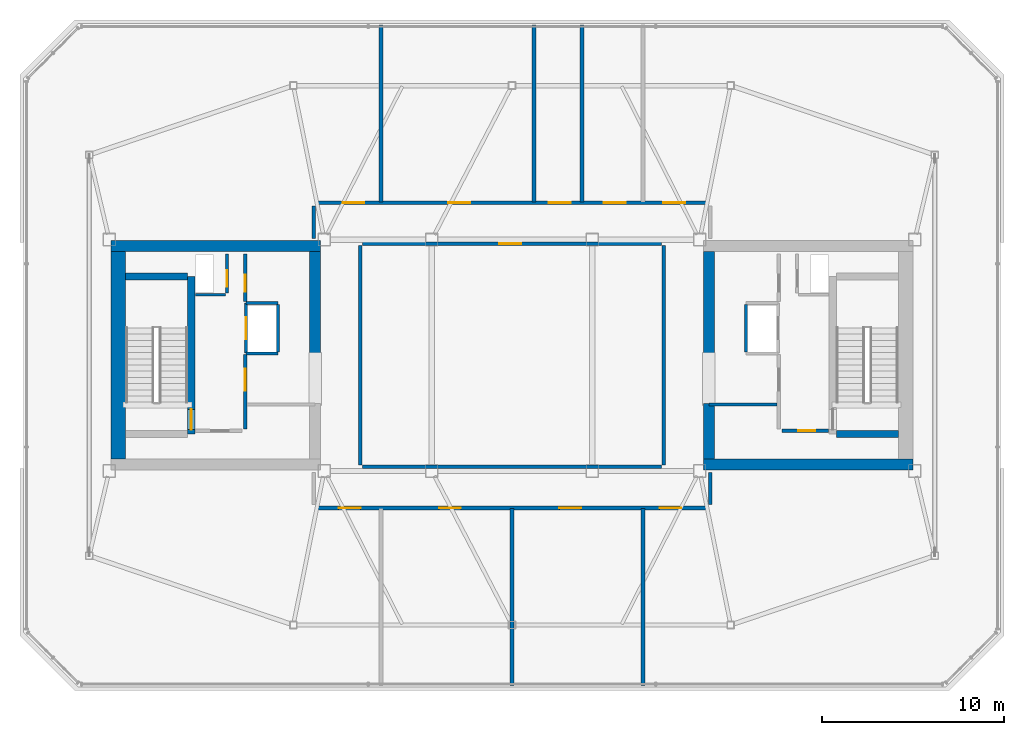
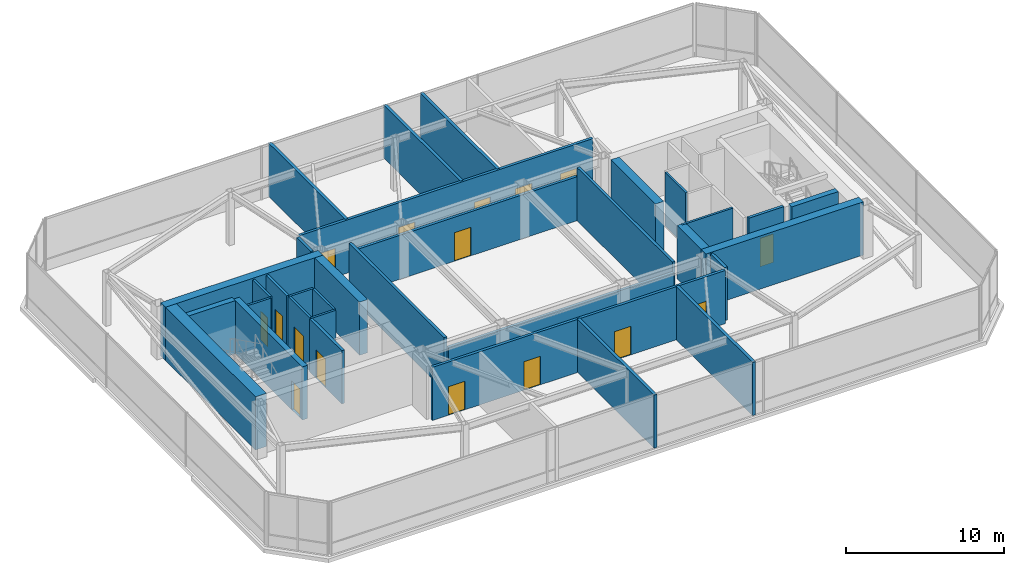
# One storey, part 18 of 22: 33 walls, 16 doors, 16 openings.
"""IFC4 building model written with IfcOpenShell, lengths in metres."""

from ifc_helpers import new_model, si_unit, direction, frame, frame_2d, origin, place, context, subcontext, project, spatial, rectangle, extrude, material, layer, layer_set, type_object, element, fill, save


model = new_model("IFC4")

# Units and contexts
model_context = context("Model", 3, precision=1e-05, world=origin(), true_north=direction((0.0, 1.0)))
body_context = subcontext(model_context, "Body", "Model", "MODEL_VIEW")
ifc_project = project(units=[si_unit("LENGTHUNIT", "METRE"), si_unit("AREAUNIT", "SQUARE_METRE"), si_unit("VOLUMEUNIT", "CUBIC_METRE"), si_unit("PLANEANGLEUNIT", "RADIAN"), si_unit("MASSUNIT", "GRAM", prefix="KILO")], contexts=[model_context])

# Site, building, storey
site_placement = place(None, origin())
site = spatial("IfcSite", under=ifc_project, at=site_placement, CompositionType="ELEMENT")
building_placement = place(site_placement, origin())
building = spatial("IfcBuilding", under=site, at=building_placement, Name="Tavrogorsk Clinical Tower", CompositionType="ELEMENT")
storey_placement = place(building_placement, frame((0.0, 0.0, 339.800048828125)))
storey = spatial("IfcBuildingStorey", under=building, at=storey_placement, Name="L79", CompositionType="ELEMENT", Elevation=339.800048828125)

# Wall, opening, door
ifc_material_1 = material(Name="Concrete B60", Category="concrete")
ifc_layer_1 = layer(ifc_material_1, 0.199951171875)
ifc_layer_set_1 = layer_set([ifc_layer_1], Name="Concrete B60")
wall_type_1 = type_object("IfcWallType", Name="CoreFireWall_200", PredefinedType="SOLIDWALL", material=ifc_layer_set_1)
wall_1_placement = place(storey_placement, frame((-14.639892578125, 2.9599609375, 0.0), z_axis=(0.0, 0.0, 1.0), x_axis=(0.0, 1.0, 0.0)))
wall_1 = element("IfcWall", 1, at=wall_1_placement, inside=storey, type_object=wall_type_1, Name="L79 Core West North Core Room East Wall", PredefinedType="SOLIDWALL", context=body_context, shape_type="SweptSolid", body=[
    extrude(rectangle(XDim=2.60009765625, YDim=0.199951171875, at=frame_2d((1.300048828125, 0.0))), origin(), (0.0, 0.0, 1.0), 4.099853515625),
])
opening_1_placement = place(wall_1_placement, frame((0.52001953125, 0.0, 0.0)))
opening_1 = element("IfcOpeningElement", 2, at=opening_1_placement, cuts=wall_1, Name="Opening ID-02", PredefinedType="OPENING", context=body_context, shape_type="SweptSolid", body=[
    extrude(rectangle(XDim=0.949951171875, YDim=2.199951171875, at=frame_2d((0.47509765625, 1.10009765625))), frame((0.0, 0.10986328125, 0.0), z_axis=(0.0, -1.0, 0.0), x_axis=(1.0, 0.0, 0.0)), (0.0, 0.0, 1.0), 0.219970703125),
])
ifc_material_2 = material(Name="Laminated timber leaf on aluminium frame", Category="wood")
door_type_1 = type_object("IfcDoorType", Name="InteriorDoor_ID02_950", OperationType="NOTDEFINED", PredefinedType="DOOR", material=ifc_material_2)
door_1_placement = place(opening_1_placement, origin())
door_1 = element("IfcDoor", 3, at=door_1_placement, inside=storey, type_object=door_type_1, Name="L79 Core West Core Telemetry Room Door", OperationType="SINGLE_SWING_LEFT", OverallHeight=2.199951171875, OverallWidth=0.949951171875, PredefinedType="DOOR", context=body_context, shape_type="SweptSolid", body=[
    extrude(rectangle(XDim=0.949951171875, YDim=2.199951171875, at=frame_2d((0.47509765625, 1.10009765625))), frame((0.0, 0.02490234375, 0.0), z_axis=(0.0, -1.0, 0.0), x_axis=(1.0, 0.0, 0.0)), (0.0, 0.0, 1.0), 0.050048828125),
])
fill(opening_1, door_1)

wall_2_placement = place(storey_placement, frame((-14.639892578125, -4.034912109375, 0.0), z_axis=(0.0, 0.0, 1.0), x_axis=(0.0, 1.0, 0.0)))
wall_2 = element("IfcWall", 4, at=wall_2_placement, inside=storey, type_object=wall_type_1, Name="L79 Core West Firefighting Lobby Fire Wall", PredefinedType="SOLIDWALL", context=body_context, shape_type="SweptSolid", body=[
    extrude(rectangle(XDim=4.074951171875, YDim=0.199951171875, at=frame_2d((2.03759765625, 0.0))), origin(), (0.0, 0.0, 1.0), 4.099853515625),
])
opening_2_placement = place(wall_2_placement, frame((2.090087890625, 0.0, 0.0)))
opening_2 = element("IfcOpeningElement", 5, at=opening_2_placement, cuts=wall_2, Name="Opening FD-01", PredefinedType="OPENING", context=body_context, shape_type="SweptSolid", body=[
    extrude(rectangle(XDim=1.199951171875, YDim=2.199951171875, at=frame_2d((0.60009765625, 1.10009765625))), frame((0.0, 0.10986328125, 0.0), z_axis=(0.0, -1.0, 0.0), x_axis=(1.0, 0.0, 0.0)), (0.0, 0.0, 1.0), 0.219970703125),
])
ifc_material_3 = material(Name="Galvanised steel fire-rated door assembly", Category="steel")
door_type_2 = type_object("IfcDoorType", Name="FireDoor_FD01_1200", OperationType="NOTDEFINED", PredefinedType="DOOR", material=ifc_material_3)
door_2_placement = place(opening_2_placement, origin())
door_2 = element("IfcDoor", 6, at=door_2_placement, inside=storey, type_object=door_type_2, Name="L79 Core West Firefighting Lobby Entry Door", OperationType="SINGLE_SWING_RIGHT", OverallHeight=2.199951171875, OverallWidth=1.199951171875, PredefinedType="DOOR", context=body_context, shape_type="SweptSolid", body=[
    extrude(rectangle(XDim=1.199951171875, YDim=2.199951171875, at=frame_2d((0.60009765625, 1.10009765625))), frame((0.0, 0.02490234375, 0.0), z_axis=(0.0, -1.0, 0.0), x_axis=(1.0, 0.0, 0.0)), (0.0, 0.0, 1.0), 0.050048828125),
])
fill(opening_2, door_2)

wall_3_placement = place(storey_placement, frame((14.824951171875, -4.139892578125, 0.0), z_axis=(0.0, 0.0, 1.0), x_axis=(1.0, 0.0, 0.0)))
wall_3 = element("IfcWall", 7, at=wall_3_placement, inside=storey, type_object=wall_type_1, Name="L79 Core East South Core Room Fire Wall", PredefinedType="SOLIDWALL", context=body_context, shape_type="SweptSolid", body=[
    extrude(rectangle(XDim=2.554931640625, YDim=0.199951171875, at=frame_2d((1.27734375, 0.0))), origin(), (0.0, 0.0, 1.0), 4.099853515625),
])
opening_3_placement = place(wall_3_placement, frame((0.8798828125, 0.0, 0.0)))
opening_3 = element("IfcOpeningElement", 8, at=opening_3_placement, cuts=wall_3, Name="Opening ID-02", PredefinedType="OPENING", context=body_context, shape_type="SweptSolid", body=[
    extrude(rectangle(XDim=0.949951171875, YDim=2.199951171875, at=frame_2d((0.47509765625, 1.10009765625))), frame((0.0, 0.10986328125, 0.0), z_axis=(0.0, -1.0, 0.0), x_axis=(1.0, 0.0, 0.0)), (0.0, 0.0, 1.0), 0.219970703125),
])
door_3_placement = place(opening_3_placement, origin())
door_3 = element("IfcDoor", 9, at=door_3_placement, inside=storey, type_object=door_type_1, Name="L79 Core East South Core Room Door", OperationType="SINGLE_SWING_RIGHT", OverallHeight=2.199951171875, OverallWidth=0.949951171875, PredefinedType="DOOR", context=body_context, shape_type="SweptSolid", body=[
    extrude(rectangle(XDim=0.949951171875, YDim=2.199951171875, at=frame_2d((0.47509765625, 1.10009765625))), frame((0.0, 0.02490234375, 0.0), z_axis=(0.0, -1.0, 0.0), x_axis=(1.0, 0.0, 0.0)), (0.0, 0.0, 1.0), 0.050048828125),
])
fill(opening_3, door_3)

# Wall
wall_4_placement = place(storey_placement, frame((-10.8798828125, 6.419921875, 0.0), z_axis=(0.0, 0.0, 1.0), x_axis=(0.0, 1.0, 0.0)))
element("IfcWall", 10, at=wall_4_placement, inside=storey, type_object=wall_type_1, Name="L79 Crown Corridor Wall 02", PredefinedType="SOLIDWALL", context=body_context, shape_type="SweptSolid", body=[
    extrude(rectangle(XDim=1.775146484375, YDim=0.199951171875, at=frame_2d((0.8876953125, 0.0))), origin(), (0.0, 0.0, 1.0), 4.099853515625),
])

# Wall, openings, doors
wall_5_placement = place(storey_placement, frame((-10.695068359375, 8.3798828125, 0.0), z_axis=(0.0, 0.0, 1.0), x_axis=(1.0, 0.0, 0.0)))
wall_5 = element("IfcWall", 11, at=wall_5_placement, inside=storey, type_object=wall_type_1, Name="L79 Crown Corridor Wall 03", PredefinedType="SOLIDWALL", context=body_context, shape_type="SweptSolid", body=[
    extrude(rectangle(XDim=21.39013671875, YDim=0.199951171875, at=frame_2d((10.695068359375, 0.0))), origin(), (0.0, 0.0, 1.0), 4.099853515625),
])
opening_4_placement = place(wall_5_placement, frame((7.199951171875, 0.0, 0.0)))
opening_4 = element("IfcOpeningElement", 12, at=opening_4_placement, cuts=wall_5, Name="Opening FD-01", PredefinedType="OPENING", context=body_context, shape_type="SweptSolid", body=[
    extrude(rectangle(XDim=1.199951171875, YDim=2.199951171875, at=frame_2d((0.60009765625, 1.10009765625))), frame((0.0, 0.10986328125, 0.0), z_axis=(0.0, -1.0, 0.0), x_axis=(1.0, 0.0, 0.0)), (0.0, 0.0, 1.0), 0.219970703125),
])
opening_5_placement = place(wall_5_placement, frame((12.72509765625, 0.0, 0.0)))
opening_5 = element("IfcOpeningElement", 13, at=opening_5_placement, cuts=wall_5, Name="Opening FD-01", PredefinedType="OPENING", context=body_context, shape_type="SweptSolid", body=[
    extrude(rectangle(XDim=1.199951171875, YDim=2.199951171875, at=frame_2d((0.60009765625, 1.10009765625))), frame((0.0, 0.10986328125, 0.0), z_axis=(0.0, -1.0, 0.0), x_axis=(1.0, 0.0, 0.0)), (0.0, 0.0, 1.0), 0.219970703125),
])
opening_6_placement = place(wall_5_placement, frame((15.72509765625, 0.0, 0.0)))
opening_6 = element("IfcOpeningElement", 14, at=opening_6_placement, cuts=wall_5, Name="Opening FD-01", PredefinedType="OPENING", context=body_context, shape_type="SweptSolid", body=[
    extrude(rectangle(XDim=1.199951171875, YDim=2.199951171875, at=frame_2d((0.60009765625, 1.10009765625))), frame((0.0, 0.10986328125, 0.0), z_axis=(0.0, -1.0, 0.0), x_axis=(1.0, 0.0, 0.0)), (0.0, 0.0, 1.0), 0.219970703125),
])
opening_7_placement = place(wall_5_placement, frame((1.39404296875, 0.0, 0.0)))
opening_7 = element("IfcOpeningElement", 15, at=opening_7_placement, cuts=wall_5, Name="Opening FD-01", PredefinedType="OPENING", context=body_context, shape_type="SweptSolid", body=[
    extrude(rectangle(XDim=1.199951171875, YDim=2.199951171875, at=frame_2d((0.60009765625, 1.10009765625))), frame((0.0, 0.10986328125, 0.0), z_axis=(0.0, -1.0, 0.0), x_axis=(1.0, 0.0, 0.0)), (0.0, 0.0, 1.0), 0.219970703125),
])
opening_8_placement = place(wall_5_placement, frame((19.005859375, 0.0, 0.0)))
opening_8 = element("IfcOpeningElement", 16, at=opening_8_placement, cuts=wall_5, Name="Opening FD-01", PredefinedType="OPENING", context=body_context, shape_type="SweptSolid", body=[
    extrude(rectangle(XDim=1.199951171875, YDim=2.199951171875, at=frame_2d((0.60009765625, 1.10009765625))), frame((0.0, 0.10986328125, 0.0), z_axis=(0.0, -1.0, 0.0), x_axis=(1.0, 0.0, 0.0)), (0.0, 0.0, 1.0), 0.219970703125),
])
door_4_placement = place(opening_4_placement, origin())
door_4 = element("IfcDoor", 17, at=door_4_placement, inside=storey, type_object=door_type_2, Name="L79 Medium-Voltage Transformer Plant NW Door", OperationType="SINGLE_SWING_RIGHT", OverallHeight=2.199951171875, OverallWidth=1.199951171875, PredefinedType="DOOR", context=body_context, shape_type="SweptSolid", body=[
    extrude(rectangle(XDim=1.199951171875, YDim=2.199951171875, at=frame_2d((0.60009765625, 1.10009765625))), frame((0.0, 0.02490234375, 0.0), z_axis=(0.0, -1.0, 0.0), x_axis=(1.0, 0.0, 0.0)), (0.0, 0.0, 1.0), 0.050048828125),
])
fill(opening_4, door_4)
door_5_placement = place(opening_5_placement, origin())
door_5 = element("IfcDoor", 18, at=door_5_placement, inside=storey, type_object=door_type_2, Name="L79 Mast RF Transmitter Plant NE Door", OperationType="SINGLE_SWING_LEFT", OverallHeight=2.199951171875, OverallWidth=1.199951171875, PredefinedType="DOOR", context=body_context, shape_type="SweptSolid", body=[
    extrude(rectangle(XDim=1.199951171875, YDim=2.199951171875, at=frame_2d((0.60009765625, 1.10009765625))), frame((0.0, 0.02490234375, 0.0), z_axis=(0.0, -1.0, 0.0), x_axis=(1.0, 0.0, 0.0)), (0.0, 0.0, 1.0), 0.050048828125),
])
fill(opening_5, door_5)
door_6_placement = place(opening_6_placement, origin())
door_6 = element("IfcDoor", 19, at=door_6_placement, inside=storey, type_object=door_type_2, Name="L79 Helipad De-Icing Plant NE Door", OperationType="SINGLE_SWING_RIGHT", OverallHeight=2.199951171875, OverallWidth=1.199951171875, PredefinedType="DOOR", context=body_context, shape_type="SweptSolid", body=[
    extrude(rectangle(XDim=1.199951171875, YDim=2.199951171875, at=frame_2d((0.60009765625, 1.10009765625))), frame((0.0, 0.02490234375, 0.0), z_axis=(0.0, -1.0, 0.0), x_axis=(1.0, 0.0, 0.0)), (0.0, 0.0, 1.0), 0.050048828125),
])
fill(opening_6, door_6)
door_7_placement = place(opening_7_placement, origin())
door_7 = element("IfcDoor", 20, at=door_7_placement, inside=storey, type_object=door_type_2, Name="L79 Glycol Pump & Expansion Plant WN Door", OperationType="SINGLE_SWING_LEFT", OverallHeight=2.199951171875, OverallWidth=1.199951171875, PredefinedType="DOOR", context=body_context, shape_type="SweptSolid", body=[
    extrude(rectangle(XDim=1.199951171875, YDim=2.199951171875, at=frame_2d((0.60009765625, 1.10009765625))), frame((0.0, 0.02490234375, 0.0), z_axis=(0.0, -1.0, 0.0), x_axis=(1.0, 0.0, 0.0)), (0.0, 0.0, 1.0), 0.050048828125),
])
fill(opening_7, door_7)
door_8_placement = place(opening_8_placement, origin())
door_8 = element("IfcDoor", 21, at=door_8_placement, inside=storey, type_object=door_type_2, Name="L79 Glycol Pump & Expansion Plant EN Door", OperationType="SINGLE_SWING_RIGHT", OverallHeight=2.199951171875, OverallWidth=1.199951171875, PredefinedType="DOOR", context=body_context, shape_type="SweptSolid", body=[
    extrude(rectangle(XDim=1.199951171875, YDim=2.199951171875, at=frame_2d((0.60009765625, 1.10009765625))), frame((0.0, 0.02490234375, 0.0), z_axis=(0.0, -1.0, 0.0), x_axis=(1.0, 0.0, 0.0)), (0.0, 0.0, 1.0), 0.050048828125),
])
fill(opening_8, door_8)

# Wall
wall_6_placement = place(storey_placement, frame((10.8798828125, -6.419921875, 0.0), z_axis=(0.0, 0.0, 1.0), x_axis=(0.0, -1.0, 0.0)))
element("IfcWall", 22, at=wall_6_placement, inside=storey, type_object=wall_type_1, Name="L79 Crown Corridor Wall 05", PredefinedType="SOLIDWALL", context=body_context, shape_type="SweptSolid", body=[
    extrude(rectangle(XDim=1.775146484375, YDim=0.199951171875, at=frame_2d((0.8876953125, 0.0))), origin(), (0.0, 0.0, 1.0), 4.099853515625),
])

# Wall, openings, doors
wall_7_placement = place(storey_placement, frame((10.695068359375, -8.3798828125, 0.0), z_axis=(0.0, 0.0, 1.0), x_axis=(-1.0, 0.0, 0.0)))
wall_7 = element("IfcWall", 23, at=wall_7_placement, inside=storey, type_object=wall_type_1, Name="L79 Crown Corridor Wall 06", PredefinedType="SOLIDWALL", context=body_context, shape_type="SweptSolid", body=[
    extrude(rectangle(XDim=21.39013671875, YDim=0.199951171875, at=frame_2d((10.695068359375, 0.0))), origin(), (0.0, 0.0, 1.0), 4.099853515625),
])
opening_9_placement = place(wall_7_placement, frame((13.5, 0.0, 0.0)))
opening_9 = element("IfcOpeningElement", 24, at=opening_9_placement, cuts=wall_7, Name="Opening FD-01", PredefinedType="OPENING", context=body_context, shape_type="SweptSolid", body=[
    extrude(rectangle(XDim=1.199951171875, YDim=2.199951171875, at=frame_2d((0.60009765625, 1.10009765625))), frame((0.0, 0.10986328125, 0.0), z_axis=(0.0, -1.0, 0.0), x_axis=(1.0, 0.0, 0.0)), (0.0, 0.0, 1.0), 0.219970703125),
])
opening_10_placement = place(wall_7_placement, frame((6.89990234375, 0.0, 0.0)))
opening_10 = element("IfcOpeningElement", 25, at=opening_10_placement, cuts=wall_7, Name="Opening FD-01", PredefinedType="OPENING", context=body_context, shape_type="SweptSolid", body=[
    extrude(rectangle(XDim=1.199951171875, YDim=2.199951171875, at=frame_2d((0.60009765625, 1.10009765625))), frame((0.0, 0.10986328125, 0.0), z_axis=(0.0, -1.0, 0.0), x_axis=(1.0, 0.0, 0.0)), (0.0, 0.0, 1.0), 0.219970703125),
])
opening_11_placement = place(wall_7_placement, frame((19.005859375, 0.0, 0.0)))
opening_11 = element("IfcOpeningElement", 26, at=opening_11_placement, cuts=wall_7, Name="Opening FD-01", PredefinedType="OPENING", context=body_context, shape_type="SweptSolid", body=[
    extrude(rectangle(XDim=1.199951171875, YDim=2.199951171875, at=frame_2d((0.60009765625, 1.10009765625))), frame((0.0, 0.10986328125, 0.0), z_axis=(0.0, -1.0, 0.0), x_axis=(1.0, 0.0, 0.0)), (0.0, 0.0, 1.0), 0.219970703125),
])
opening_12_placement = place(wall_7_placement, frame((1.39404296875, 0.0, 0.0)))
opening_12 = element("IfcOpeningElement", 27, at=opening_12_placement, cuts=wall_7, Name="Opening FD-01", PredefinedType="OPENING", context=body_context, shape_type="SweptSolid", body=[
    extrude(rectangle(XDim=1.199951171875, YDim=2.199951171875, at=frame_2d((0.60009765625, 1.10009765625))), frame((0.0, 0.10986328125, 0.0), z_axis=(0.0, -1.0, 0.0), x_axis=(1.0, 0.0, 0.0)), (0.0, 0.0, 1.0), 0.219970703125),
])
door_9_placement = place(opening_9_placement, origin())
door_9 = element("IfcDoor", 28, at=door_9_placement, inside=storey, type_object=door_type_2, Name="L79 Heat-Recovery AHU Plant SW Door", OperationType="SINGLE_SWING_RIGHT", OverallHeight=2.199951171875, OverallWidth=1.199951171875, PredefinedType="DOOR", context=body_context, shape_type="SweptSolid", body=[
    extrude(rectangle(XDim=1.199951171875, YDim=2.199951171875, at=frame_2d((0.60009765625, 1.10009765625))), frame((0.0, 0.02490234375, 0.0), z_axis=(0.0, -1.0, 0.0), x_axis=(1.0, 0.0, 0.0)), (0.0, 0.0, 1.0), 0.050048828125),
])
fill(opening_9, door_9)
door_10_placement = place(opening_10_placement, origin())
door_10 = element("IfcDoor", 29, at=door_10_placement, inside=storey, type_object=door_type_2, Name="L79 Smoke-Extract Fan Plant SE Door", OperationType="SINGLE_SWING_LEFT", OverallHeight=2.199951171875, OverallWidth=1.199951171875, PredefinedType="DOOR", context=body_context, shape_type="SweptSolid", body=[
    extrude(rectangle(XDim=1.199951171875, YDim=2.199951171875, at=frame_2d((0.60009765625, 1.10009765625))), frame((0.0, 0.02490234375, 0.0), z_axis=(0.0, -1.0, 0.0), x_axis=(1.0, 0.0, 0.0)), (0.0, 0.0, 1.0), 0.050048828125),
])
fill(opening_10, door_10)
door_11_placement = place(opening_11_placement, origin())
door_11 = element("IfcDoor", 30, at=door_11_placement, inside=storey, type_object=door_type_2, Name="L79 Pressurisation Fan Plant WS Door", OperationType="SINGLE_SWING_LEFT", OverallHeight=2.199951171875, OverallWidth=1.199951171875, PredefinedType="DOOR", context=body_context, shape_type="SweptSolid", body=[
    extrude(rectangle(XDim=1.199951171875, YDim=2.199951171875, at=frame_2d((0.60009765625, 1.10009765625))), frame((0.0, 0.02490234375, 0.0), z_axis=(0.0, -1.0, 0.0), x_axis=(1.0, 0.0, 0.0)), (0.0, 0.0, 1.0), 0.050048828125),
])
fill(opening_11, door_11)
door_12_placement = place(opening_12_placement, origin())
door_12 = element("IfcDoor", 31, at=door_12_placement, inside=storey, type_object=door_type_2, Name="L79 Pressurisation Fan Plant ES Door", OperationType="SINGLE_SWING_RIGHT", OverallHeight=2.199951171875, OverallWidth=1.199951171875, PredefinedType="DOOR", context=body_context, shape_type="SweptSolid", body=[
    extrude(rectangle(XDim=1.199951171875, YDim=2.199951171875, at=frame_2d((0.60009765625, 1.10009765625))), frame((0.0, 0.02490234375, 0.0), z_axis=(0.0, -1.0, 0.0), x_axis=(1.0, 0.0, 0.0)), (0.0, 0.0, 1.0), 0.050048828125),
])
fill(opening_12, door_12)

# Wall
wall_8_placement = place(storey_placement, frame((8.320068359375, -6.014892578125, 0.0), z_axis=(0.0, 0.0, 1.0), x_axis=(0.0, 1.0, 0.0)))
element("IfcWall", 32, at=wall_8_placement, inside=storey, type_object=wall_type_1, Name="L79 Crown Corridor Wall 07", PredefinedType="SOLIDWALL", context=body_context, shape_type="SweptSolid", body=[
    extrude(rectangle(XDim=12.02978515625, YDim=0.199951171875, at=frame_2d((6.014892578125, 0.0))), origin(), (0.0, 0.0, 1.0), 4.099853515625),
])

# Wall, opening, door
wall_9_placement = place(storey_placement, frame((8.215087890625, 6.1201171875, 0.0), z_axis=(0.0, 0.0, 1.0), x_axis=(-1.0, 0.0, 0.0)))
wall_9 = element("IfcWall", 33, at=wall_9_placement, inside=storey, type_object=wall_type_1, Name="L79 Crown Corridor Wall 08", PredefinedType="SOLIDWALL", context=body_context, shape_type="SweptSolid", body=[
    extrude(rectangle(XDim=16.43017578125, YDim=0.199951171875, at=frame_2d((8.215087890625, 0.0))), origin(), (0.0, 0.0, 1.0), 3.39501953125),
])
opening_13_placement = place(wall_9_placement, frame((7.719970703125, 0.0, 0.0)))
opening_13 = element("IfcOpeningElement", 34, at=opening_13_placement, cuts=wall_9, Name="Opening FD-01", PredefinedType="OPENING", context=body_context, shape_type="SweptSolid", body=[
    extrude(rectangle(XDim=1.199951171875, YDim=2.199951171875, at=frame_2d((0.60009765625, 1.10009765625))), frame((0.0, 0.10986328125, 0.0), z_axis=(0.0, -1.0, 0.0), x_axis=(1.0, 0.0, 0.0)), (0.0, 0.0, 1.0), 0.219970703125),
])
door_13_placement = place(opening_13_placement, origin())
door_13 = element("IfcDoor", 35, at=door_13_placement, inside=storey, type_object=door_type_2, Name="L79 Broadcast & Helipad Telemetry Plant Door", OperationType="SINGLE_SWING_LEFT", OverallHeight=2.199951171875, OverallWidth=1.199951171875, PredefinedType="DOOR", context=body_context, shape_type="SweptSolid", body=[
    extrude(rectangle(XDim=1.199951171875, YDim=2.199951171875, at=frame_2d((0.60009765625, 1.10009765625))), frame((0.0, 0.02490234375, 0.0), z_axis=(0.0, -1.0, 0.0), x_axis=(1.0, 0.0, 0.0)), (0.0, 0.0, 1.0), 0.050048828125),
])
fill(opening_13, door_13)

# Walls
wall_10_placement = place(storey_placement, frame((-8.320068359375, 6.014892578125, 0.0), z_axis=(0.0, 0.0, 1.0), x_axis=(0.0, -1.0, 0.0)))
element("IfcWall", 36, at=wall_10_placement, inside=storey, type_object=wall_type_1, Name="L79 Crown Corridor Wall 09", PredefinedType="SOLIDWALL", context=body_context, shape_type="SweptSolid", body=[
    extrude(rectangle(XDim=12.02978515625, YDim=0.199951171875, at=frame_2d((6.014892578125, 0.0))), origin(), (0.0, 0.0, 1.0), 4.099853515625),
])
wall_11_placement = place(storey_placement, frame((-8.215087890625, -6.1201171875, 0.0), z_axis=(0.0, 0.0, 1.0), x_axis=(1.0, 0.0, 0.0)))
element("IfcWall", 37, at=wall_11_placement, inside=storey, type_object=wall_type_1, Name="L79 Crown Corridor Wall 10", PredefinedType="SOLIDWALL", context=body_context, shape_type="SweptSolid", body=[
    extrude(rectangle(XDim=16.43017578125, YDim=0.199951171875, at=frame_2d((8.215087890625, 0.0))), origin(), (0.0, 0.0, 1.0), 3.39501953125),
])
ifc_material_4 = material(Name="Lightweight concrete blockwork B15", Category="masonry")
ifc_layer_2 = layer(ifc_material_4, 0.159912109375)
ifc_layer_set_2 = layer_set([ifc_layer_2], Name="Lightweight concrete blockwork B15")
wall_type_2 = type_object("IfcWallType", Name="PartitionWall_160", PredefinedType="PARTITIONING", material=ifc_layer_set_2)
wall_12_placement = place(storey_placement, frame((10.800048828125, -2.699951171875, 0.0), z_axis=(0.0, 0.0, 1.0), x_axis=(1.0, 0.0, 0.0)))
element("IfcWall", 38, at=wall_12_placement, inside=storey, type_object=wall_type_2, Name="L79 Core East Freed Mid-Bank North Partition", PredefinedType="PARTITIONING", context=body_context, shape_type="SweptSolid", body=[
    extrude(rectangle(XDim=3.73486328125, YDim=0.159912109375, at=frame_2d((1.867431640625, 0.0))), origin(), (0.0, 0.0, 1.0), 4.099853515625),
])
ifc_material_5 = material(Name="Concrete B45", Category="concrete")
ifc_layer_3 = layer(ifc_material_5, 0.219970703125)
ifc_layer_set_3 = layer_set([ifc_layer_3], Name="Concrete B45")
wall_type_3 = type_object("IfcWallType", Name="PartitionWall_220", PredefinedType="SOLIDWALL", material=ifc_layer_set_3)
for number, where, z_axis, x_axis, name in (
    (39, (7.199951171875, -18.1298828125, 0.0), (0.0, 0.0, 1.0), (0.0, 1.0, 0.0), "L79 Crown Partition 2"),
    (40, (-7.199951171875, 8.405029296875, 0.0), (0.0, 0.0, 1.0), (0.0, 1.0, 0.0), "L79 Crown Partition 3"),
    (41, (0.0, -18.1298828125, 0.0), (0.0, 0.0, 1.0), (0.0, 1.0, 0.0), "L79 Crown Partition 5"),
    (42, (1.199951171875, 8.405029296875, 0.0), (0.0, 0.0, 1.0), (0.0, 1.0, 0.0), "L79 Crown Partition 6"),
    (43, (3.85009765625, 8.405029296875, 0.0), (0.0, 0.0, 1.0), (0.0, 1.0, 0.0), "L79 Crown Partition 7"),
):
    element("IfcWall", number, at=place(storey_placement, frame(where, z_axis=z_axis, x_axis=x_axis)), inside=storey, type_object=wall_type_3, Name=name, PredefinedType="SOLIDWALL", context=body_context, shape_type="SweptSolid", body=[
        extrude(rectangle(XDim=9.724853515625, YDim=0.219970703125, at=frame_2d((4.8623046875, 0.0))), origin(), (0.0, 0.0, 1.0), 4.099853515625),
    ])

# Wall, opening, door
ifc_material_6 = material(Name="Lightweight concrete blockwork B25", Category="masonry")
ifc_layer_4 = layer(ifc_material_6, 0.159912109375)
ifc_layer_set_4 = layer_set([ifc_layer_4], Name="Lightweight concrete blockwork B25")
wall_type_4 = type_object("IfcWallType", Name="ShaftWall_160", PredefinedType="PARTITIONING", material=ifc_layer_set_4)
wall_13_placement = place(storey_placement, frame((-14.60009765625, 0.1201171875, 0.0), z_axis=(0.0, 0.0, 1.0), x_axis=(0.0, 1.0, 0.0)))
wall_13 = element("IfcWall", 44, at=wall_13_placement, inside=storey, type_object=wall_type_4, Name="L79 FFL-W Firefighting Lift Front Wall", PredefinedType="PARTITIONING", context=body_context, shape_type="SweptSolid", body=[
    extrude(rectangle(XDim=2.739990234375, YDim=0.159912109375, at=frame_2d((1.3701171875, 0.0))), origin(), (0.0, 0.0, 1.0), 4.099853515625),
])
opening_14_placement = place(wall_13_placement, frame((0.77001953125, 0.0, 0.0)))
opening_14 = element("IfcOpeningElement", 45, at=opening_14_placement, cuts=wall_13, Name="Opening LD", PredefinedType="OPENING", context=body_context, shape_type="SweptSolid", body=[
    extrude(rectangle(XDim=1.199951171875, YDim=2.199951171875, at=frame_2d((0.60009765625, 1.10009765625))), frame((0.0, 0.08984375, 0.0), z_axis=(0.0, -1.0, 0.0), x_axis=(1.0, 0.0, 0.0)), (0.0, 0.0, 1.0), 0.179931640625),
])
ifc_material_7 = material(Name="Brushed stainless steel AISI 304 sliding doors", Category="steel")
door_type_3 = type_object("IfcDoorType", Name="LiftLandingDoor_LD_1200", OperationType="SLIDING_TO_LEFT", PredefinedType="DOOR", material=ifc_material_7)
door_14_placement = place(opening_14_placement, origin())
door_14 = element("IfcDoor", 46, at=door_14_placement, inside=storey, type_object=door_type_3, Name="L79 FFL-W Sliding Lift Landing Door", OperationType="SLIDING_TO_LEFT", OverallHeight=2.199951171875, OverallWidth=1.199951171875, PredefinedType="DOOR", context=body_context, shape_type="SweptSolid", body=[
    extrude(rectangle(XDim=1.199951171875, YDim=2.199951171875, at=frame_2d((0.60009765625, 1.10009765625))), frame((0.0, 0.02490234375, 0.0), z_axis=(0.0, -1.0, 0.0), x_axis=(1.0, 0.0, 0.0)), (0.0, 0.0, 1.0), 0.050048828125),
])
fill(opening_14, door_14)

# Walls
for number, where, z_axis, x_axis, name in (
    (47, (-14.60009765625, 0.10009765625, 0.0), (0.0, 0.0, 1.0), (1.0, 0.0, 0.0), "L79 FFL-W Shaft South Wall"),
    (48, (-14.60009765625, 2.8798828125, 0.0), (0.0, 0.0, 1.0), (1.0, 0.0, 0.0), "L79 FFL-W Shaft North Wall"),
):
    element("IfcWall", number, at=place(storey_placement, frame(where, z_axis=z_axis, x_axis=x_axis)), inside=storey, type_object=wall_type_4, Name=name, PredefinedType="PARTITIONING", context=body_context, shape_type="SweptSolid", body=[
        extrude(rectangle(XDim=1.760009765625, YDim=0.159912109375, at=frame_2d((0.8798828125, 0.0))), origin(), (0.0, 0.0, 1.0), 4.099853515625),
    ])
for number, where, z_axis, x_axis, name in (
    (49, (-12.840087890625, 0.179931640625, 0.0), (0.0, 0.0, 1.0), (0.0, 1.0, 0.0), "L79 FFL-W Shaft Back Wall"),
    (50, (12.840087890625, 0.179931640625, 0.0), (0.0, 0.0, 1.0), (0.0, 1.0, 0.0), "L79 FFL-E Shaft Back Wall"),
):
    element("IfcWall", number, at=place(storey_placement, frame(where, z_axis=z_axis, x_axis=x_axis)), inside=storey, type_object=wall_type_4, Name=name, PredefinedType="PARTITIONING", context=body_context, shape_type="SweptSolid", body=[
        extrude(rectangle(XDim=2.6201171875, YDim=0.159912109375, at=frame_2d((1.31005859375, 0.0))), origin(), (0.0, 0.0, 1.0), 4.099853515625),
    ])

# Wall, opening, door
wall_14_placement = place(storey_placement, frame((-15.639892578125, 3.405029296875, 0.0), z_axis=(0.0, 0.0, 1.0), x_axis=(0.0, 1.0, 0.0)))
wall_14 = element("IfcWall", 51, at=wall_14_placement, inside=storey, type_object=wall_type_4, Name="L79 Core West Riser West Wall", PredefinedType="PARTITIONING", context=body_context, shape_type="SweptSolid", body=[
    extrude(rectangle(XDim=2.155029296875, YDim=0.159912109375, at=frame_2d((1.07763671875, 0.0))), origin(), (0.0, 0.0, 1.0), 4.099853515625),
])
opening_15_placement = place(wall_14_placement, frame((0.35009765625, 0.0, 0.0)))
opening_15 = element("IfcOpeningElement", 52, at=opening_15_placement, cuts=wall_14, Name="Opening FD-02", PredefinedType="OPENING", context=body_context, shape_type="SweptSolid", body=[
    extrude(rectangle(XDim=0.89990234375, YDim=2.199951171875, at=frame_2d((0.449951171875, 1.10009765625))), frame((0.0, 0.08984375, 0.0), z_axis=(0.0, -1.0, 0.0), x_axis=(1.0, 0.0, 0.0)), (0.0, 0.0, 1.0), 0.179931640625),
])
ifc_material_8 = material(Name="Galvanised steel fire-rated door assembly", Category="steel")
door_type_4 = type_object("IfcDoorType", Name="FireDoor_FD02_900", OperationType="NOTDEFINED", PredefinedType="DOOR", material=ifc_material_8)
door_15_placement = place(opening_15_placement, origin())
door_15 = element("IfcDoor", 53, at=door_15_placement, inside=storey, type_object=door_type_4, Name="L79 Core West Electrical Riser Access Door", OperationType="SINGLE_SWING_LEFT", OverallHeight=2.199951171875, OverallWidth=0.89990234375, PredefinedType="DOOR", context=body_context, shape_type="SweptSolid", body=[
    extrude(rectangle(XDim=0.89990234375, YDim=2.199951171875, at=frame_2d((0.449951171875, 1.10009765625))), frame((0.0, 0.02490234375, 0.0), z_axis=(0.0, -1.0, 0.0), x_axis=(1.0, 0.0, 0.0)), (0.0, 0.0, 1.0), 0.050048828125),
])
fill(opening_15, door_15)

# Wall
wall_15_placement = place(storey_placement, frame((-17.3798828125, 3.320068359375, 0.0), z_axis=(0.0, 0.0, 1.0), x_axis=(1.0, 0.0, 0.0)))
element("IfcWall", 54, at=wall_15_placement, inside=storey, type_object=wall_type_4, Name="L79 Core West Riser South Wall", PredefinedType="PARTITIONING", context=body_context, shape_type="SweptSolid", body=[
    extrude(rectangle(XDim=1.65478515625, YDim=0.159912109375, at=frame_2d((0.827392578125, 0.0))), origin(), (0.0, 0.0, 1.0), 4.099853515625),
])

# Wall, opening, door
ifc_material_9 = material(Name="Concrete B80", Category="concrete")
ifc_layer_5 = layer(ifc_material_9, 0.39990234375)
ifc_layer_set_5 = layer_set([ifc_layer_5], Name="Concrete B80")
wall_type_5 = type_object("IfcWallType", Name="ShearWall_400", PredefinedType="SHEAR", material=ifc_layer_set_5)
wall_16_placement = place(storey_placement, frame((-17.60009765625, -4.324951171875, 0.0), z_axis=(0.0, 0.0, 1.0), x_axis=(0.0, 1.0, 0.0)))
wall_16 = element("IfcWall", 55, at=wall_16_placement, inside=storey, type_object=wall_type_5, Name="L79 Core West Stair Shaft Inner Shear Wall", PredefinedType="SHEAR", context=body_context, shape_type="SweptSolid", body=[
    extrude(rectangle(XDim=8.64990234375, YDim=0.39990234375, at=frame_2d((4.324951171875, 0.0))), origin(), (0.0, 0.0, 1.0), 4.099853515625),
])
opening_16_placement = place(wall_16_placement, frame((0.25, 0.0, 0.0)))
opening_16 = element("IfcOpeningElement", 56, at=opening_16_placement, cuts=wall_16, Name="Opening SD-01", PredefinedType="OPENING", context=body_context, shape_type="SweptSolid", body=[
    extrude(rectangle(XDim=1.10009765625, YDim=2.199951171875, at=frame_2d((0.550048828125, 1.10009765625))), frame((0.0, 0.2099609375, 0.0), z_axis=(0.0, -1.0, 0.0), x_axis=(1.0, 0.0, 0.0)), (0.0, 0.0, 1.0), 0.419921875),
])
ifc_material_10 = material(Name="Galvanised steel smoke-tight fire door assembly", Category="steel")
door_type_5 = type_object("IfcDoorType", Name="StairFireDoor_SD01_1100", OperationType="NOTDEFINED", PredefinedType="DOOR", material=ifc_material_10)
door_16_placement = place(opening_16_placement, origin())
door_16 = element("IfcDoor", 57, at=door_16_placement, inside=storey, type_object=door_type_5, Name="L79 ST-W Exit Stair Door", OperationType="SINGLE_SWING_RIGHT", OverallHeight=2.199951171875, OverallWidth=1.10009765625, PredefinedType="DOOR", context=body_context, shape_type="SweptSolid", body=[
    extrude(rectangle(XDim=1.10009765625, YDim=2.199951171875, at=frame_2d((0.550048828125, 1.10009765625))), frame((0.0, 0.02490234375, 0.0), z_axis=(0.0, -1.0, 0.0), x_axis=(1.0, 0.0, 0.0)), (0.0, 0.0, 1.0), 0.050048828125),
])
fill(opening_16, door_16)

# Walls
for number, where, z_axis, x_axis, name in (
    (58, (-21.199951171875, 4.324951171875, 0.0), (0.0, 0.0, 1.0), (1.0, 0.0, 0.0), "L79 Core West Stair Shaft North Shear Wall"),
    (59, (17.800048828125, -4.324951171875, 0.0), (0.0, 0.0, 1.0), (1.0, 0.0, 0.0), "L79 Core East Stair Shaft South Shear Wall"),
):
    element("IfcWall", number, at=place(storey_placement, frame(where, z_axis=z_axis, x_axis=x_axis)), inside=storey, type_object=wall_type_5, Name=name, PredefinedType="SHEAR", context=body_context, shape_type="SweptSolid", body=[
        extrude(rectangle(XDim=3.39990234375, YDim=0.39990234375, at=frame_2d((1.699951171875, 0.0))), origin(), (0.0, 0.0, 1.0), 4.099853515625),
    ])
ifc_material_11 = material(Name="Concrete B80", Category="concrete")
ifc_layer_6 = layer(ifc_material_11, 0.60009765625)
ifc_layer_set_6 = layer_set([ifc_layer_6], Name="Concrete B80")
wall_type_6 = type_object("IfcWallType", Name="ShearWall_600", PredefinedType="SHEAR", material=ifc_layer_set_6)
wall_17_placement = place(storey_placement, frame((-22.0, 6.0, 0.0), z_axis=(0.0, 0.0, 1.0), x_axis=(1.0, 0.0, 0.0)))
element("IfcWall", 60, at=wall_17_placement, inside=storey, type_object=wall_type_6, Name="L79 Core West North Shear Wall", PredefinedType="SHEAR", context=body_context, shape_type="SweptSolid", body=[
    extrude(rectangle(XDim=11.5, YDim=0.60009765625, at=frame_2d((5.75, 0.0))), origin(), (0.0, 0.0, 1.0), 4.099853515625),
])
wall_18_placement = place(storey_placement, frame((-10.800048828125, 0.050048828125, 0.0), z_axis=(0.0, 0.0, 1.0), x_axis=(0.0, 1.0, 0.0)))
element("IfcWall", 61, at=wall_18_placement, inside=storey, type_object=wall_type_6, Name="L79 Core West Inner North Pier", PredefinedType="SHEAR", context=body_context, shape_type="SweptSolid", body=[
    extrude(rectangle(XDim=5.64990234375, YDim=0.60009765625, at=frame_2d((2.824951171875, 0.0))), origin(), (0.0, 0.0, 1.0), 4.099853515625),
])
wall_19_placement = place(storey_placement, frame((10.5, -6.0, 0.0), z_axis=(0.0, 0.0, 1.0), x_axis=(1.0, 0.0, 0.0)))
element("IfcWall", 62, at=wall_19_placement, inside=storey, type_object=wall_type_6, Name="L79 Core East South Shear Wall", PredefinedType="SHEAR", context=body_context, shape_type="SweptSolid", body=[
    extrude(rectangle(XDim=11.5, YDim=0.60009765625, at=frame_2d((5.75, 0.0))), origin(), (0.0, 0.0, 1.0), 4.099853515625),
])
wall_20_placement = place(storey_placement, frame((10.800048828125, -5.699951171875, 0.0), z_axis=(0.0, 0.0, 1.0), x_axis=(0.0, 1.0, 0.0)))
element("IfcWall", 63, at=wall_20_placement, inside=storey, type_object=wall_type_6, Name="L79 Core East Inner South Pier", PredefinedType="SHEAR", context=body_context, shape_type="SweptSolid", body=[
    extrude(rectangle(XDim=3.050048828125, YDim=0.60009765625, at=frame_2d((1.52490234375, 0.0))), origin(), (0.0, 0.0, 1.0), 4.099853515625),
])
wall_21_placement = place(storey_placement, frame((10.800048828125, 0.050048828125, 0.0), z_axis=(0.0, 0.0, 1.0), x_axis=(0.0, 1.0, 0.0)))
element("IfcWall", 64, at=wall_21_placement, inside=storey, type_object=wall_type_6, Name="L79 Core East Inner North Pier", PredefinedType="SHEAR", context=body_context, shape_type="SweptSolid", body=[
    extrude(rectangle(XDim=5.64990234375, YDim=0.60009765625, at=frame_2d((2.824951171875, 0.0))), origin(), (0.0, 0.0, 1.0), 4.099853515625),
])
ifc_material_12 = material(Name="Concrete B80", Category="concrete")
ifc_layer_7 = layer(ifc_material_12, 0.800048828125)
ifc_layer_set_7 = layer_set([ifc_layer_7], Name="Concrete B80")
wall_type_7 = type_object("IfcWallType", Name="ShearWall_800", PredefinedType="SHEAR", material=ifc_layer_set_7)
wall_22_placement = place(storey_placement, frame((-21.60009765625, -5.699951171875, 0.0), z_axis=(0.0, 0.0, 1.0), x_axis=(0.0, 1.0, 0.0)))
element("IfcWall", 65, at=wall_22_placement, inside=storey, type_object=wall_type_7, Name="L79 Core West End Shear Wall", PredefinedType="SHEAR", context=body_context, shape_type="SweptSolid", body=[
    extrude(rectangle(XDim=11.39990234375, YDim=0.800048828125, at=frame_2d((5.699951171875, 0.0))), origin(), (0.0, 0.0, 1.0), 4.099853515625),
])

save(model, "model.ifc")
